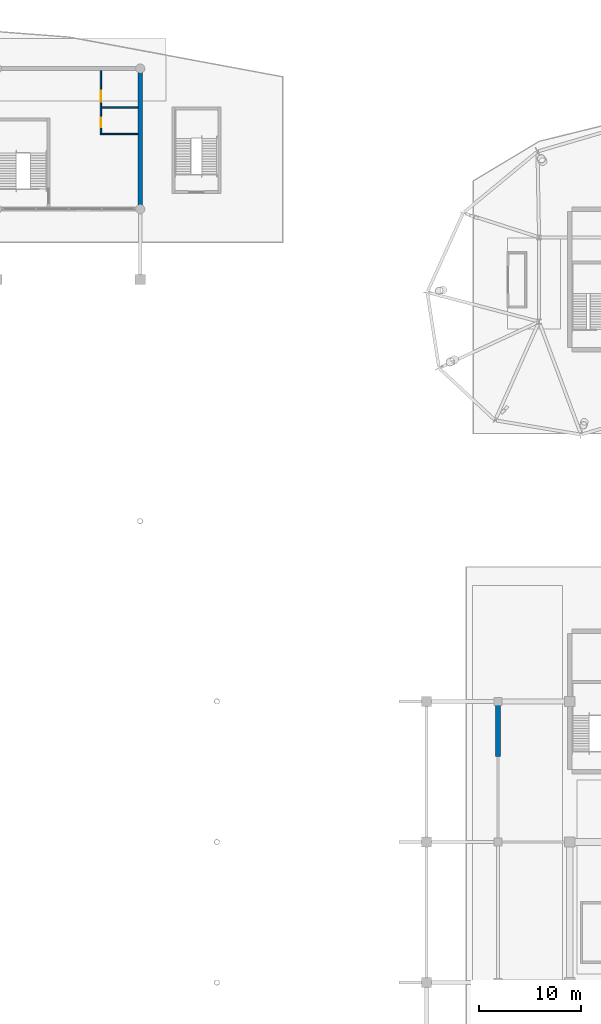
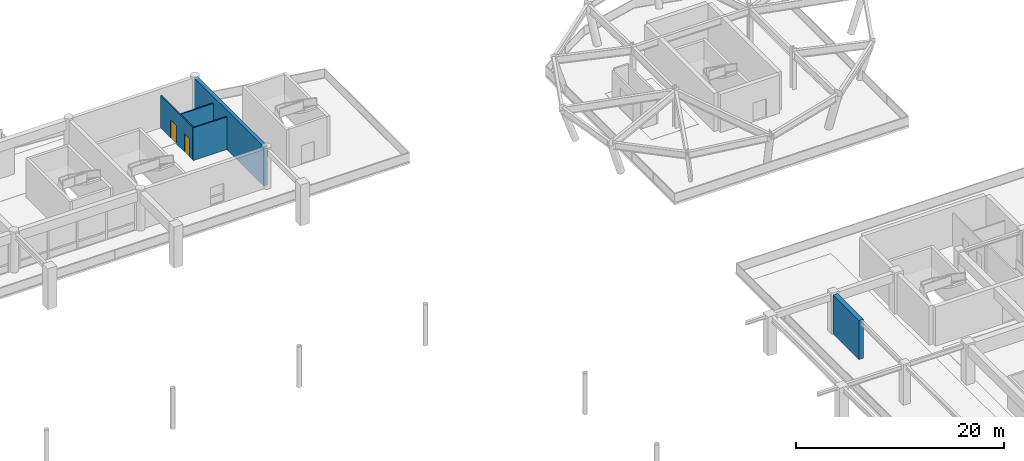
# One storey, part 73 of 91: 5 walls, 2 doors, 2 openings.
"""IFC4 building model written with IfcOpenShell, lengths in metres."""

from ifc_helpers import new_model, si_unit, direction, frame, frame_2d, origin, place, context, subcontext, project, spatial, rectangle, extrude, material, layer, layer_set, type_object, element, fill, save


model = new_model("IFC4")

# Units and contexts
model_context = context("Model", 3, precision=1e-05, world=origin(), true_north=direction((0.0, 1.0)))
body_context = subcontext(model_context, "Body", "Model", "MODEL_VIEW")
ifc_project = project(units=[si_unit("LENGTHUNIT", "METRE"), si_unit("AREAUNIT", "SQUARE_METRE"), si_unit("VOLUMEUNIT", "CUBIC_METRE"), si_unit("PLANEANGLEUNIT", "RADIAN"), si_unit("MASSUNIT", "GRAM", prefix="KILO")], contexts=[model_context])

# Site, building, storey
site_placement = place(None, origin())
site = spatial("IfcSite", under=ifc_project, at=site_placement, CompositionType="ELEMENT")
building_placement = place(site_placement, origin())
building = spatial("IfcBuilding", under=site, at=building_placement, Name="Linyun Crest Stadium", CompositionType="ELEMENT")
storey_placement = place(building_placement, frame((0.0, 0.0, 11.39990234375)))
storey = spatial("IfcBuildingStorey", under=building, at=storey_placement, Name="L03", CompositionType="ELEMENT", Elevation=11.39990234375)

# Wall
ifc_material_1 = material(Name="Concrete C50", Category="concrete")
ifc_layer_1 = layer(ifc_material_1, 0.39990234375)
ifc_layer_set_1 = layer_set([ifc_layer_1], Name="Concrete C50")
wall_type_1 = type_object("IfcWallType", Name="CW02", PredefinedType="SHEAR", material=ifc_layer_set_1)
wall_1_placement = place(storey_placement, frame((28.0, 91.699951171875, 0.0), z_axis=(0.0, 0.0, 1.0), x_axis=(0.0, 1.0, 0.0)))
element("IfcWall", 1, at=wall_1_placement, inside=storey, type_object=wall_type_1, Name="Core shear wall CW02 CORE-N2 L03.2", PredefinedType="SHEAR", context=body_context, shape_type="SweptSolid", body=[
    extrude(rectangle(XDim=13.35009765625, YDim=0.39990234375, at=frame_2d((6.675048828125, 0.0))), origin(), (0.0, 0.0, 1.0), 4.60009765625),
])

# Wall, openings, doors
ifc_material_2 = material(Name="Moisture-resistant ceramic-tiled wet-room wall")
ifc_layer_2 = layer(ifc_material_2, 0.139892578125)
ifc_layer_set_2 = layer_set([ifc_layer_2], Name="Moisture-resistant ceramic-tiled wet-room wall")
wall_type_2 = type_object("IfcWallType", Name="PW15", PredefinedType="PARTITIONING", material=ifc_layer_set_2)
wall_2_placement = place(storey_placement, frame((24.14990234375, 98.919921875, 0.0), z_axis=(0.0, 0.0, 1.0), x_axis=(0.0, 1.0, 0.0)))
wall_2 = element("IfcWall", 2, at=wall_2_placement, inside=storey, type_object=wall_type_2, Name="Partition PW15 L03 108", PredefinedType="PARTITIONING", context=body_context, shape_type="SweptSolid", body=[
    extrude(rectangle(XDim=6.130126953125, YDim=0.139892578125, at=frame_2d((3.06494140625, 0.0))), origin(), (0.0, 0.0, 1.0), 3.820068359375),
])
opening_1_placement = place(wall_2_placement, frame((0.580078125, 0.0, 0.0)))
opening_1 = element("IfcOpeningElement", 3, at=opening_1_placement, cuts=wall_2, Name="Opening D-L03-306", PredefinedType="OPENING", context=body_context, shape_type="SweptSolid", body=[
    extrude(rectangle(XDim=0.949951171875, YDim=2.14990234375, at=frame_2d((0.47509765625, 1.074951171875))), frame((0.0, 0.079833984375, 0.0), z_axis=(0.0, -1.0, 0.0), x_axis=(1.0, 0.0, 0.0)), (0.0, 0.0, 1.0), 0.159912109375),
])
opening_2_placement = place(wall_2_placement, frame((3.080078125, 0.0, 0.0)))
opening_2 = element("IfcOpeningElement", 4, at=opening_2_placement, cuts=wall_2, Name="Opening D-L03-307", PredefinedType="OPENING", context=body_context, shape_type="SweptSolid", body=[
    extrude(rectangle(XDim=1.10009765625, YDim=2.14990234375, at=frame_2d((0.550048828125, 1.074951171875))), frame((0.0, 0.079833984375, 0.0), z_axis=(0.0, -1.0, 0.0), x_axis=(1.0, 0.0, 0.0)), (0.0, 0.0, 1.0), 0.159912109375),
])
ifc_material_3 = material(Name="Moisture-resistant laminate leaf")
ifc_layer_3 = layer(ifc_material_3, 0.044921875)
ifc_layer_set_3 = layer_set([ifc_layer_3], Name="Moisture-resistant laminate leaf")
door_type_1 = type_object("IfcDoorType", Name="ID02", OperationType="NOTDEFINED", PredefinedType="DOOR", material=ifc_layer_set_3)
door_1_placement = place(opening_1_placement, origin())
door_1 = element("IfcDoor", 5, at=door_1_placement, inside=storey, type_object=door_type_1, Name="Door D-L03-306", OperationType="SINGLE_SWING_RIGHT", OverallHeight=2.14990234375, OverallWidth=0.949951171875, PredefinedType="DOOR", context=body_context, shape_type="SweptSolid", body=[
    extrude(rectangle(XDim=0.949951171875, YDim=2.14990234375, at=frame_2d((0.47509765625, 1.074951171875))), frame((0.0, 0.02490234375, 0.0), z_axis=(0.0, -1.0, 0.0), x_axis=(1.0, 0.0, 0.0)), (0.0, 0.0, 1.0), 0.050048828125),
])
fill(opening_1, door_1)
ifc_material_4 = material(Name="Moisture-resistant laminate leaf")
ifc_layer_4 = layer(ifc_material_4, 0.044921875)
ifc_layer_set_4 = layer_set([ifc_layer_4], Name="Moisture-resistant laminate leaf")
door_type_2 = type_object("IfcDoorType", Name="ID03", OperationType="NOTDEFINED", PredefinedType="DOOR", material=ifc_layer_set_4)
door_2_placement = place(opening_2_placement, origin())
door_2 = element("IfcDoor", 6, at=door_2_placement, inside=storey, type_object=door_type_2, Name="Door D-L03-307", OperationType="SINGLE_SWING_LEFT", OverallHeight=2.14990234375, OverallWidth=1.10009765625, PredefinedType="DOOR", context=body_context, shape_type="SweptSolid", body=[
    extrude(rectangle(XDim=1.10009765625, YDim=2.14990234375, at=frame_2d((0.550048828125, 1.074951171875))), frame((0.0, 0.02490234375, 0.0), z_axis=(0.0, -1.0, 0.0), x_axis=(1.0, 0.0, 0.0)), (0.0, 0.0, 1.0), 0.050048828125),
])
fill(opening_2, door_2)

# Walls
wall_3_placement = place(storey_placement, frame((24.080078125, 98.85009765625, 0.0), z_axis=(0.0, 0.0, 1.0), x_axis=(1.0, 0.0, 0.0)))
element("IfcWall", 7, at=wall_3_placement, inside=storey, type_object=wall_type_2, Name="Enclosure partition PW15 L03 97", PredefinedType="PARTITIONING", context=body_context, shape_type="SweptSolid", body=[
    extrude(rectangle(XDim=3.719970703125, YDim=0.139892578125, at=frame_2d((1.85986328125, 0.0))), origin(), (0.0, 0.0, 1.0), 3.820068359375),
])
wall_4_placement = place(storey_placement, frame((24.219970703125, 101.449951171875, 0.0), z_axis=(0.0, 0.0, 1.0), x_axis=(1.0, 0.0, 0.0)))
element("IfcWall", 8, at=wall_4_placement, inside=storey, type_object=wall_type_2, Name="Enclosure partition PW15 L03 98", PredefinedType="PARTITIONING", context=body_context, shape_type="SweptSolid", body=[
    extrude(rectangle(XDim=3.580078125, YDim=0.139892578125, at=frame_2d((1.7900390625, 0.0))), origin(), (0.0, 0.0, 1.0), 3.820068359375),
])
ifc_material_5 = material(Name="Concrete C50", Category="concrete")
ifc_layer_5 = layer(ifc_material_5, 0.5)
ifc_layer_set_5 = layer_set([ifc_layer_5], Name="Concrete C50")
wall_type_3 = type_object("IfcWallType", Name="SW03", PredefinedType="SHEAR", material=ifc_layer_set_5)
wall_5_placement = place(storey_placement, frame((63.0, 38.0, 0.0), z_axis=(0.0, 0.0, 1.0), x_axis=(0.0, 1.0, 0.0)))
element("IfcWall", 9, at=wall_5_placement, inside=storey, type_object=wall_type_3, Name="Shear wall SW03 L03 316", PredefinedType="SHEAR", context=body_context, shape_type="SweptSolid", body=[
    extrude(rectangle(XDim=5.0, YDim=0.5, at=frame_2d((2.5, 0.0))), origin(), (0.0, 0.0, 1.0), 4.580078125),
])

save(model, "model.ifc")
